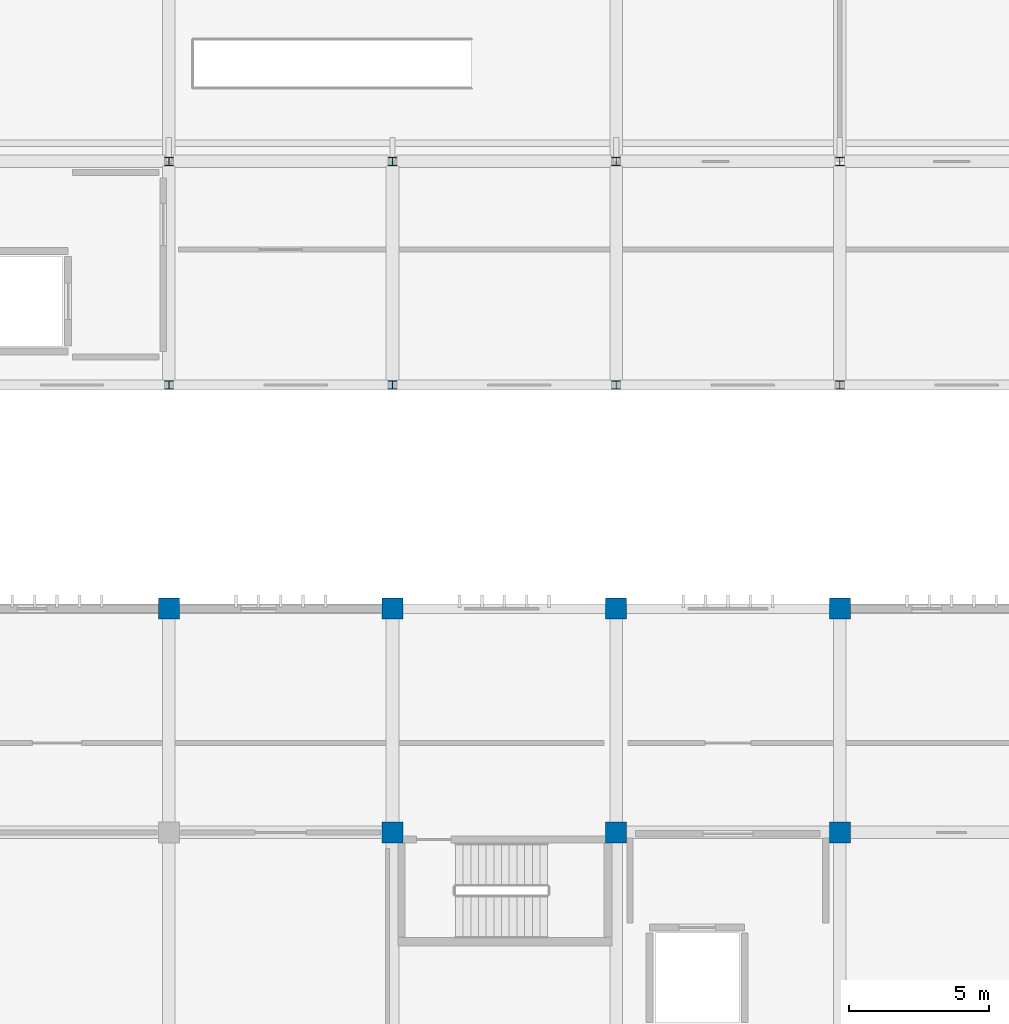
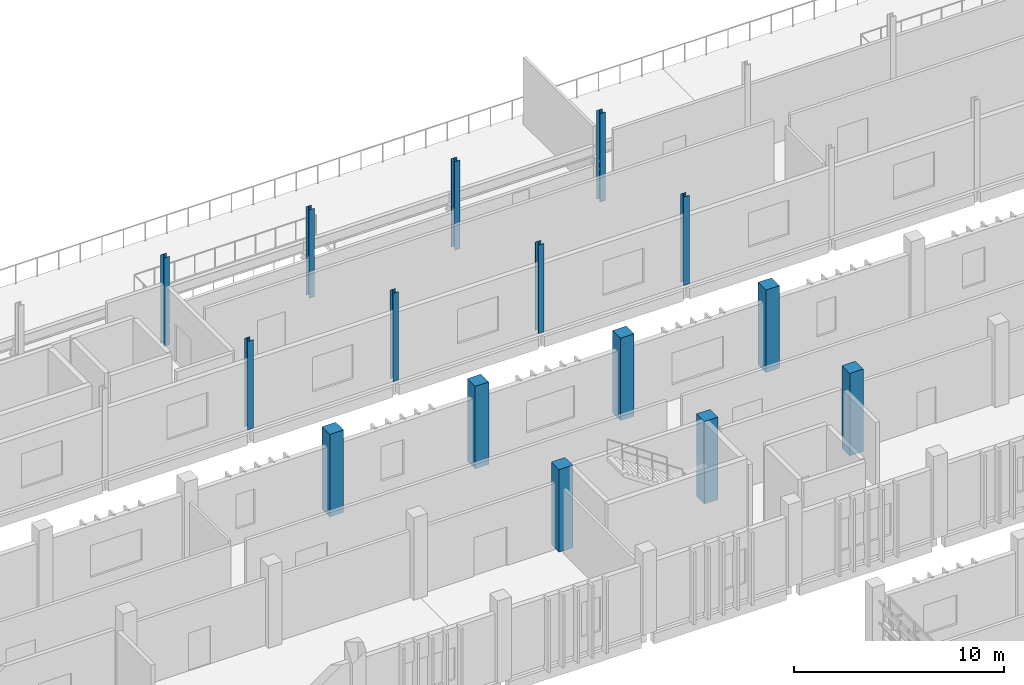
# One storey, part 8 of 106: 15 columns.
"""IFC4 building model written with IfcOpenShell, lengths in metres."""

from ifc_helpers import new_model, si_unit, direction, frame, origin, origin_2d, place, context, subcontext, project, spatial, rectangle, i_section, extrude, material, material_profile, profile_set, type_object, element, save


model = new_model("IFC4")

# Units and contexts
model_context = context("Model", 3, precision=1e-05, world=origin(), true_north=direction((0.0, 1.0)))
body_context = subcontext(model_context, "Body", "Model", "MODEL_VIEW")
ifc_project = project(units=[si_unit("LENGTHUNIT", "METRE"), si_unit("AREAUNIT", "SQUARE_METRE"), si_unit("VOLUMEUNIT", "CUBIC_METRE"), si_unit("PLANEANGLEUNIT", "RADIAN"), si_unit("MASSUNIT", "GRAM", prefix="KILO")], contexts=[model_context])

# Site, building, storey
site_placement = place(None, origin())
site = spatial("IfcSite", under=ifc_project, at=site_placement, CompositionType="ELEMENT")
building_placement = place(site_placement, origin())
building = spatial("IfcBuilding", under=site, at=building_placement, Name="Jelvoka-Kovrelna Polytechnic", CompositionType="ELEMENT")
storey_placement = place(building_placement, frame((0.0, 0.0, 4.800048828125)))
storey = spatial("IfcBuildingStorey", under=building, at=storey_placement, Name="L02", CompositionType="ELEMENT", Elevation=4.800048828125)

# Columns
ifc_material_1 = material(Name="Concrete C40/50", Category="concrete")
ifc_material_profile_1 = material_profile(ifc_material_1, rectangle(XDim=0.75, YDim=0.75, at=origin_2d()), Name="RC 750x750")
ifc_profile_set_1 = profile_set([ifc_material_profile_1], Name="Concrete C40/50")
column_type_1 = type_object("IfcColumnType", Name="Col_RC_750", PredefinedType="COLUMN", material=ifc_profile_set_1)
for number, where, z_axis, x_axis, name in (
    (1, (120.0, 64.0, 0.0), (0.0, 0.0, 1.0), (1.0, 0.0, 0.0), "L02 column 1215"),
    (2, (128.0, 64.0, 0.0), (0.0, 0.0, 1.0), (1.0, 0.0, 0.0), "L02 column 1224"),
    (3, (136.0, 64.0, 0.0), (0.0, 0.0, 1.0), (1.0, 0.0, 0.0), "L02 column 1233"),
    (4, (112.0, 72.0, 0.0), (0.0, 0.0, 1.0), (1.0, 0.0, 0.0), "L02 column 1367"),
    (5, (120.0, 72.0, 0.0), (0.0, 0.0, 1.0), (1.0, 0.0, 0.0), "L02 column 1376"),
    (6, (128.0, 72.0, 0.0), (0.0, 0.0, 1.0), (1.0, 0.0, 0.0), "L02 column 1385"),
    (7, (136.0, 72.0, 0.0), (0.0, 0.0, 1.0), (1.0, 0.0, 0.0), "L02 column 1394"),
):
    element("IfcColumn", number, at=place(storey_placement, frame(where, z_axis=z_axis, x_axis=x_axis)), inside=storey, type_object=column_type_1, Name=name, PredefinedType="COLUMN", context=body_context, shape_type="SweptSolid", body=[
        extrude(rectangle(XDim=0.75, YDim=0.75, at=origin_2d()), origin(), (0.0, 0.0, 1.0), 4.800048828125),
    ])
ifc_material_2 = material(Name="Structural steel S355JR", Category="steel")
ifc_material_profile_2 = material_profile(ifc_material_2, i_section(OverallWidth=0.305419921875, OverallDepth=0.307861328125, WebThickness=0.010009765625, FlangeThickness=0.015380859375, FilletRadius=0.01513671875, at=origin_2d()), Name="305x305x97 UC")
ifc_profile_set_2 = profile_set([ifc_material_profile_2], Name="Structural steel S355JR")
column_type_2 = type_object("IfcColumnType", Name="Col_Steel_UC305", PredefinedType="COLUMN", material=ifc_profile_set_2)
for number, where, z_axis, x_axis, name in (
    (8, (112.0, 80.0, 0.0), (0.0, 0.0, 1.0), (1.0, 0.0, 0.0), "L02 column 1487"),
    (9, (120.0, 80.0, 0.0), (0.0, 0.0, 1.0), (1.0, 0.0, 0.0), "L02 column 1490"),
    (10, (128.0, 80.0, 0.0), (0.0, 0.0, 1.0), (1.0, 0.0, 0.0), "L02 column 1493"),
    (11, (136.0, 80.0, 0.0), (0.0, 0.0, 1.0), (1.0, 0.0, 0.0), "L02 column 1496"),
    (12, (112.0, 88.0, 0.0), (0.0, 0.0, 1.0), (1.0, 0.0, 0.0), "L02 column 1542"),
    (13, (120.0, 88.0, 0.0), (0.0, 0.0, 1.0), (1.0, 0.0, 0.0), "L02 column 1545"),
    (14, (128.0, 88.0, 0.0), (0.0, 0.0, 1.0), (1.0, 0.0, 0.0), "L02 column 1548"),
    (15, (136.0, 88.0, 0.0), (0.0, 0.0, 1.0), (1.0, 0.0, 0.0), "L02 column 1551"),
):
    element("IfcColumn", number, at=place(storey_placement, frame(where, z_axis=z_axis, x_axis=x_axis)), inside=storey, type_object=column_type_2, Name=name, PredefinedType="COLUMN", context=body_context, shape_type="SweptSolid", body=[
        extrude(i_section(OverallWidth=0.305419921875, OverallDepth=0.307861328125, WebThickness=0.010009765625, FlangeThickness=0.015380859375, FilletRadius=0.01513671875, at=origin_2d()), origin(), (0.0, 0.0, 1.0), 5.14990234375),
    ])

save(model, "model.ifc")
